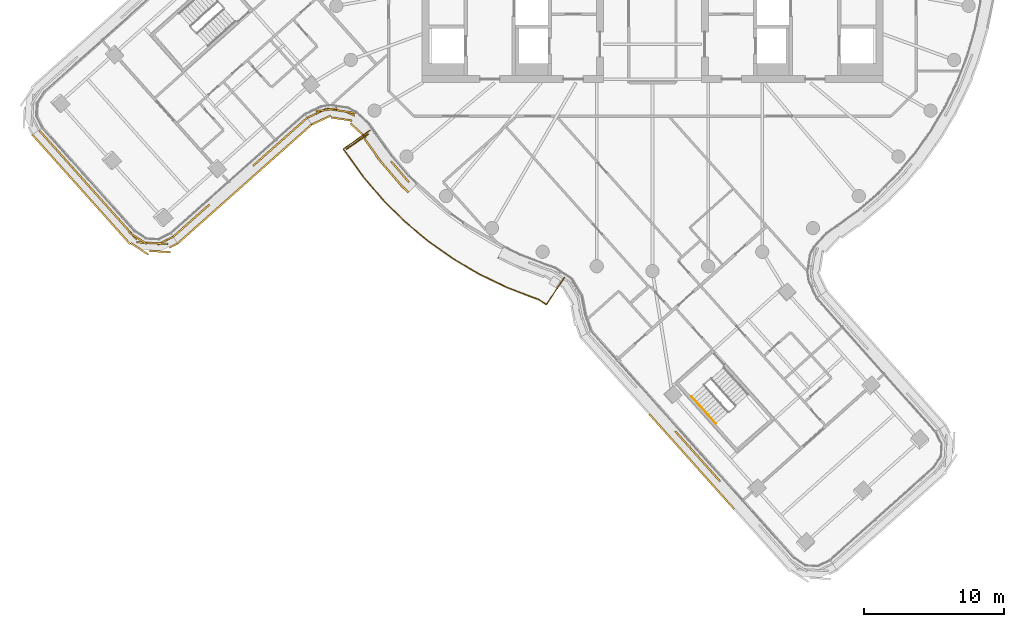
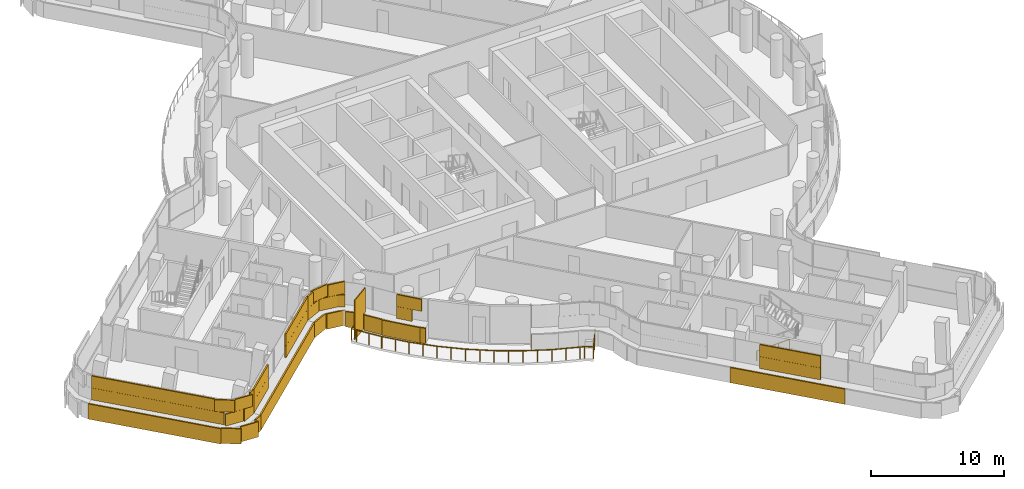
# One storey, part 26 of 33: 4 coverings, 2 railings, 1 shading device.
"""IFC4 building model written with IfcOpenShell, lengths in metres."""

from ifc_helpers import new_model, si_unit, direction, frame, origin, origin_2d, place, context, subcontext, project, spatial, rectangle, circle, extrude, material, layer, layer_set, type_object, element, save


model = new_model("IFC4")

# Units and contexts
model_context = context("Model", 3, precision=1e-05, world=origin(), true_north=direction((0.0, 1.0)))
body_context = subcontext(model_context, "Body", "Model", "MODEL_VIEW")
ifc_project = project(units=[si_unit("LENGTHUNIT", "METRE"), si_unit("AREAUNIT", "SQUARE_METRE"), si_unit("VOLUMEUNIT", "CUBIC_METRE"), si_unit("PLANEANGLEUNIT", "RADIAN"), si_unit("MASSUNIT", "GRAM", prefix="KILO")], contexts=[model_context])

# Site, building, storey
site_placement = place(None, origin())
site = spatial("IfcSite", under=ifc_project, at=site_placement, CompositionType="ELEMENT")
building_placement = place(site_placement, origin())
building = spatial("IfcBuilding", under=site, at=building_placement, Name="Tamarind Cross Interchange Tower", CompositionType="ELEMENT")
storey_placement = place(building_placement, frame((0.0, 0.0, 186.10009765625)))
storey = spatial("IfcBuildingStorey", under=building, at=storey_placement, Name="L46", CompositionType="ELEMENT", Elevation=186.10009765625)

# Railing
ifc_material_1 = material(Name="Stainless steel and laminated glass", Category="steel")
railing_type_1 = type_object("IfcRailingType", Name="Balcony guard", PredefinedType="BALUSTRADE", material=ifc_material_1)
railing_1_placement = place(storey_placement, frame((-20.238037109375, -12.91357421875, 0.0)))
element("IfcRailing", 1, at=railing_1_placement, inside=storey, type_object=railing_type_1, Name="Balcony guard 02", PredefinedType="BALUSTRADE", context=body_context, shape_type="SweptSolid", body=[
    extrude(circle(Radius=0.02490234375, at=origin_2d()), frame((0.0, 0.0, 1.0751953125), z_axis=(-0.821627339517, -0.570025012572, 0.0), x_axis=(0.570025012572, -0.821627339517, 0.0)), (0.0, 0.0, 1.0), 2.320068359375),
    extrude(circle(Radius=0.02490234375, at=origin_2d()), frame((-1.90625, -1.322509765625, 1.0751953125), z_axis=(0.570072754081, -0.821594215568, 0.0), x_axis=(0.821594215568, 0.570072754081, 0.0)), (0.0, 0.0, 1.0), 0.38232421875),
    extrude(circle(Radius=0.02490234375, at=origin_2d()), frame((-1.688232421875, -1.63671875, 1.0751953125), z_axis=(0.584543586162, -0.811362308637, 0.0), x_axis=(0.811362308637, 0.584543586162, 0.0)), (0.0, 0.0, 1.0), 2.10009765625),
    extrude(circle(Radius=0.02490234375, at=origin_2d()), frame((-0.460693359375, -3.340576171875, 1.0751953125), z_axis=(0.649598066146, -0.760277812684, 0.0), x_axis=(0.760277812684, 0.649598066146, 0.0)), (0.0, 0.0, 1.0), 2.175048828125),
    extrude(circle(Radius=0.02490234375, at=origin_2d()), frame((0.9521484375, -4.994140625, 1.0751953125), z_axis=(0.710130717242, -0.704069857635, 0.0), x_axis=(0.704069857635, 0.710130717242, 0.0)), (0.0, 0.0, 1.0), 2.17529296875),
    extrude(circle(Radius=0.02490234375, at=origin_2d()), frame((2.496826171875, -6.525634765625, 1.0751953125), z_axis=(0.765879503455, -0.642984125922, 0.0), x_axis=(0.642984125922, 0.765879503455, 0.0)), (0.0, 0.0, 1.0), 2.17529296875),
    extrude(circle(Radius=0.02490234375, at=origin_2d()), frame((4.162841796875, -7.92431640625, 1.0751953125), z_axis=(0.81632657602, -0.577590617379, 0.0), x_axis=(0.577590617379, 0.81632657602, 0.0)), (0.0, 0.0, 1.0), 2.175048828125),
    extrude(circle(Radius=0.02490234375, at=origin_2d()), frame((5.9384765625, -9.1806640625, 1.0751953125), z_axis=(0.861223570169, -0.508226290333, 0.0), x_axis=(0.508226290333, 0.861223570169, 0.0)), (0.0, 0.0, 1.0), 2.175048828125),
    extrude(circle(Radius=0.02490234375, at=origin_2d()), frame((7.811767578125, -10.2861328125, 1.0751953125), z_axis=(0.90029690694, -0.435276325285, 0.0), x_axis=(0.435276325285, 0.90029690694, 0.0)), (0.0, 0.0, 1.0), 2.175048828125),
    extrude(circle(Radius=0.02490234375, at=origin_2d()), frame((9.77001953125, -11.23291015625, 1.0751953125), z_axis=(0.933120190058, -0.359564612977, 0.0), x_axis=(0.359564612977, 0.933120190058, 0.0)), (0.0, 0.0, 1.0), 2.123291015625),
    extrude(circle(Radius=0.02490234375, at=origin_2d()), frame((11.751220703125, -11.996337890625, 1.0751953125), z_axis=(0.946158549624, -0.323703566514, 0.0), x_axis=(0.323703566514, 0.946158549624, 0.0)), (0.0, 0.0, 1.0), 0.362060546875),
    extrude(circle(Radius=0.02490234375, at=origin_2d()), frame((12.09375, -12.113525390625, 1.0751953125), z_axis=(0.836241621045, -0.548361150367, 0.0), x_axis=(0.548361150367, 0.836241621045, 0.0)), (0.0, 0.0, 1.0), 0.668212890625),
    extrude(circle(Radius=0.02490234375, at=origin_2d()), frame((12.652587890625, -12.47998046875, 1.0751953125), z_axis=(0.548224261774, 0.836331369017, 0.0), x_axis=(-0.836331369017, 0.548224261774, 0.0)), (0.0, 0.0, 1.0), 2.320068359375),
    extrude(circle(Radius=0.02001953125, at=origin_2d()), origin(), (0.0, 0.0, 1.0), 1.050048828125),
    extrude(circle(Radius=0.02001953125, at=origin_2d()), frame((-0.953125, -0.6611328125, 0.0)), (0.0, 0.0, 1.0), 1.050048828125),
    extrude(circle(Radius=0.02001953125, at=origin_2d()), frame((-1.90625, -1.322509765625, 0.0)), (0.0, 0.0, 1.0), 1.050048828125),
    extrude(circle(Radius=0.02001953125, at=origin_2d()), frame((-1.688232421875, -1.63671875, 0.0)), (0.0, 0.0, 1.0), 1.050048828125),
    extrude(circle(Radius=0.02001953125, at=origin_2d()), frame((-1.074462890625, -2.48876953125, 0.0)), (0.0, 0.0, 1.0), 1.050048828125),
    extrude(circle(Radius=0.02001953125, at=origin_2d()), frame((-0.460693359375, -3.340576171875, 0.0)), (0.0, 0.0, 1.0), 1.050048828125),
    extrude(circle(Radius=0.02001953125, at=origin_2d()), frame((0.24560546875, -4.16748046875, 0.0)), (0.0, 0.0, 1.0), 1.050048828125),
    extrude(circle(Radius=0.02001953125, at=origin_2d()), frame((0.9521484375, -4.994140625, 0.0)), (0.0, 0.0, 1.0), 1.050048828125),
    extrude(circle(Radius=0.02001953125, at=origin_2d()), frame((1.724609375, -5.759765625, 0.0)), (0.0, 0.0, 1.0), 1.050048828125),
    extrude(circle(Radius=0.02001953125, at=origin_2d()), frame((2.496826171875, -6.525634765625, 0.0)), (0.0, 0.0, 1.0), 1.050048828125),
    extrude(circle(Radius=0.02001953125, at=origin_2d()), frame((3.329833984375, -7.22509765625, 0.0)), (0.0, 0.0, 1.0), 1.050048828125),
    extrude(circle(Radius=0.02001953125, at=origin_2d()), frame((4.162841796875, -7.92431640625, 0.0)), (0.0, 0.0, 1.0), 1.050048828125),
    extrude(circle(Radius=0.02001953125, at=origin_2d()), frame((5.05078125, -8.552490234375, 0.0)), (0.0, 0.0, 1.0), 1.050048828125),
    extrude(circle(Radius=0.02001953125, at=origin_2d()), frame((5.9384765625, -9.1806640625, 0.0)), (0.0, 0.0, 1.0), 1.050048828125),
    extrude(circle(Radius=0.02001953125, at=origin_2d()), frame((6.875, -9.7333984375, 0.0)), (0.0, 0.0, 1.0), 1.050048828125),
    extrude(circle(Radius=0.02001953125, at=origin_2d()), frame((7.811767578125, -10.2861328125, 0.0)), (0.0, 0.0, 1.0), 1.050048828125),
    extrude(circle(Radius=0.02001953125, at=origin_2d()), frame((8.791015625, -10.759521484375, 0.0)), (0.0, 0.0, 1.0), 1.050048828125),
    extrude(circle(Radius=0.02001953125, at=origin_2d()), frame((9.77001953125, -11.23291015625, 0.0)), (0.0, 0.0, 1.0), 1.050048828125),
    extrude(circle(Radius=0.02001953125, at=origin_2d()), frame((10.7607421875, -11.61474609375, 0.0)), (0.0, 0.0, 1.0), 1.050048828125),
    extrude(circle(Radius=0.02001953125, at=origin_2d()), frame((11.751220703125, -11.996337890625, 0.0)), (0.0, 0.0, 1.0), 1.050048828125),
    extrude(circle(Radius=0.02001953125, at=origin_2d()), frame((12.09375, -12.113525390625, 0.0)), (0.0, 0.0, 1.0), 1.050048828125),
    extrude(circle(Radius=0.02001953125, at=origin_2d()), frame((12.652587890625, -12.47998046875, 0.0)), (0.0, 0.0, 1.0), 1.050048828125),
    extrude(circle(Radius=0.02001953125, at=origin_2d()), frame((13.28857421875, -11.509765625, 0.0)), (0.0, 0.0, 1.0), 1.050048828125),
    extrude(circle(Radius=0.02001953125, at=origin_2d()), frame((13.924560546875, -10.53955078125, 0.0)), (0.0, 0.0, 1.0), 1.050048828125),
])

# Shading device
ifc_material_2 = material(Name="Bronze-finish aluminium louvre", Category="aluminium")
ifc_layer_1 = layer(ifc_material_2, 0.080078125)
ifc_layer_set_1 = layer_set([ifc_layer_1], Name="Bronze-finish aluminium louvre")
shading_device_type = type_object("IfcShadingDeviceType", Name="Operable louvre bay", PredefinedType="JALOUSIE", material=ifc_layer_set_1)
shading_device_placement = place(storey_placement, origin())
element("IfcShadingDevice", 2, at=shading_device_placement, inside=storey, type_object=shading_device_type, Name="LVR-L46-BAL02", PredefinedType="JALOUSIE", context=body_context, shape_type="SweptSolid", body=[
    extrude(rectangle(XDim=1.89990234375, YDim=0.080078125, at=origin_2d()), frame((-21.144287109375, -13.712646484375, -0.000244140625), z_axis=(0.0, 0.0, 1.0), x_axis=(-0.821647242152, -0.56999632408, 0.0)), (0.0, 0.0, 1.0), 3.60009765625),
])

# Railing
ifc_material_3 = material(Name="Stair handrail")
railing_type_2 = type_object("IfcRailingType", Name="Stair handrail", PredefinedType="HANDRAIL", material=ifc_material_3)
railing_2_placement = place(storey_placement, frame((2.805419921875, -31.966064453125, 0.16357421875)))
element("IfcRailing", 3, at=railing_2_placement, inside=storey, type_object=railing_type_2, Name="L46 ST6 stair handrail 1", PredefinedType="HANDRAIL", context=body_context, shape_type="SweptSolid", body=[
    extrude(circle(Radius=0.02392578125, at=origin_2d()), frame((0.0, 0.0, 0.8759765625), z_axis=(0.564022200762, -0.63101821531, 0.532630236651), x_axis=(0.745577674844, 0.666418735311, 0.0)), (0.0, 0.0, 1.0), 3.072021484375),
    extrude(circle(Radius=0.02099609375, at=origin_2d()), origin(), (0.0, 0.0, 1.0), 0.851806640625),
    extrude(circle(Radius=0.02099609375, at=origin_2d()), frame((0.57763671875, -0.646240234375, 0.54541015625)), (0.0, 0.0, 1.0), 0.851806640625),
    extrude(circle(Radius=0.02099609375, at=origin_2d()), frame((1.155029296875, -1.292236328125, 1.0908203125)), (0.0, 0.0, 1.0), 0.851806640625),
    extrude(circle(Radius=0.02099609375, at=origin_2d()), frame((1.732666015625, -1.9384765625, 1.63623046875)), (0.0, 0.0, 1.0), 0.851806640625),
])

# Coverings
ifc_material_4 = material(Name="Terracotta", Category="masonry")
ifc_layer_2 = layer(ifc_material_4, 0.1201171875)
ifc_layer_set_2 = layer_set([ifc_layer_2], Name="Terracotta")
covering_type = type_object("IfcCoveringType", Name="Terracotta baguette screen unit", PredefinedType="MOLDING", material=ifc_layer_set_2)
covering_1_placement = place(storey_placement, origin())
element("IfcCovering", 4, at=covering_1_placement, inside=storey, type_object=covering_type, Name="SCR-L46-00-00", PredefinedType="MOLDING", context=body_context, shape_type="SweptSolid", body=[
    extrude(rectangle(XDim=1.510009765625, YDim=0.1201171875, at=origin_2d()), frame((-43.45166015625, -13.45849609375, 1.40380859375), z_axis=(0.0, 0.0, 1.0), x_axis=(0.666428375667, -0.745569057905, 0.0)), (0.0, 0.0, 1.0), 1.092041015625),
    extrude(rectangle(XDim=1.52001953125, YDim=0.1201171875, at=origin_2d()), frame((-42.4521484375, -14.576904296875, 1.40380859375), z_axis=(0.0, 0.0, 1.0), x_axis=(0.666428375667, -0.745569057905, 0.0)), (0.0, 0.0, 1.0), 1.092041015625),
    extrude(rectangle(XDim=1.52001953125, YDim=0.1201171875, at=origin_2d()), frame((-41.452392578125, -15.695068359375, 1.40380859375), z_axis=(0.0, 0.0, 1.0), x_axis=(0.666428375667, -0.745569057905, 0.0)), (0.0, 0.0, 1.0), 1.092041015625),
    extrude(rectangle(XDim=1.52001953125, YDim=0.1201171875, at=origin_2d()), frame((-40.452880859375, -16.8134765625, 1.40380859375), z_axis=(0.0, 0.0, 1.0), x_axis=(0.666428375667, -0.745569057905, 0.0)), (0.0, 0.0, 1.0), 1.092041015625),
    extrude(rectangle(XDim=1.52001953125, YDim=0.1201171875, at=origin_2d()), frame((-39.453125, -17.931884765625, 1.40380859375), z_axis=(0.0, 0.0, 1.0), x_axis=(0.666428375667, -0.745569057905, 0.0)), (0.0, 0.0, 1.0), 1.092041015625),
    extrude(rectangle(XDim=1.52001953125, YDim=0.1201171875, at=origin_2d()), frame((-38.45361328125, -19.05029296875, 1.40380859375), z_axis=(0.0, 0.0, 1.0), x_axis=(0.666428375667, -0.745569057905, 0.0)), (0.0, 0.0, 1.0), 1.092041015625),
    extrude(rectangle(XDim=1.52001953125, YDim=0.1201171875, at=origin_2d()), frame((-37.453857421875, -20.168701171875, 1.40380859375), z_axis=(0.0, 0.0, 1.0), x_axis=(0.666428375667, -0.745569057905, 0.0)), (0.0, 0.0, 1.0), 1.092041015625),
    extrude(rectangle(XDim=1.52001953125, YDim=0.1201171875, at=origin_2d()), frame((-36.220458984375, -20.968017578125, 1.40380859375), z_axis=(0.0, 0.0, 1.0), x_axis=(0.998432960297, -0.055960913078, 0.0)), (0.0, 0.0, 1.0), 1.092041015625),
    extrude(rectangle(XDim=1.259521484375, YDim=0.1201171875, at=origin_2d()), frame((-34.89501953125, -20.81884765625, 1.40380859375), z_axis=(0.0, 0.0, 1.0), x_axis=(0.892648764132, 0.450752907804, 0.0)), (0.0, 0.0, 1.0), 1.092041015625),
    extrude(rectangle(XDim=0.760009765625, YDim=0.1201171875, at=origin_2d()), frame((-43.70166015625, -13.178955078125, 2.50390625), z_axis=(0.0, 0.0, 1.0), x_axis=(0.666428375667, -0.745569057905, 0.0)), (0.0, 0.0, 1.0), 1.092041015625),
    extrude(rectangle(XDim=1.52001953125, YDim=0.1201171875, at=origin_2d()), frame((-42.951904296875, -14.017578125, 2.50390625), z_axis=(0.0, 0.0, 1.0), x_axis=(0.666428375667, -0.745569057905, 0.0)), (0.0, 0.0, 1.0), 1.092041015625),
    extrude(rectangle(XDim=1.52001953125, YDim=0.1201171875, at=origin_2d()), frame((-41.952392578125, -15.135986328125, 2.50390625), z_axis=(0.0, 0.0, 1.0), x_axis=(0.666428375667, -0.745569057905, 0.0)), (0.0, 0.0, 1.0), 1.092041015625),
    extrude(rectangle(XDim=1.52001953125, YDim=0.1201171875, at=origin_2d()), frame((-40.95263671875, -16.25439453125, 2.50390625), z_axis=(0.0, 0.0, 1.0), x_axis=(0.666428375667, -0.745569057905, 0.0)), (0.0, 0.0, 1.0), 1.092041015625),
    extrude(rectangle(XDim=1.52001953125, YDim=0.1201171875, at=origin_2d()), frame((-39.953125, -17.372802734375, 2.50390625), z_axis=(0.0, 0.0, 1.0), x_axis=(0.666428375667, -0.745569057905, 0.0)), (0.0, 0.0, 1.0), 1.092041015625),
    extrude(rectangle(XDim=1.52001953125, YDim=0.1201171875, at=origin_2d()), frame((-38.953369140625, -18.490966796875, 2.50390625), z_axis=(0.0, 0.0, 1.0), x_axis=(0.666428375667, -0.745569057905, 0.0)), (0.0, 0.0, 1.0), 1.092041015625),
    extrude(rectangle(XDim=1.52001953125, YDim=0.1201171875, at=origin_2d()), frame((-37.95361328125, -19.609375, 2.50390625), z_axis=(0.0, 0.0, 1.0), x_axis=(0.666428375667, -0.745569057905, 0.0)), (0.0, 0.0, 1.0), 1.092041015625),
    extrude(rectangle(XDim=1.52001953125, YDim=0.1201171875, at=origin_2d()), frame((-36.873046875, -20.633544921875, 2.50390625), z_axis=(0.0, 0.0, 1.0), x_axis=(0.836687851054, -0.547680052493, 0.0)), (0.0, 0.0, 1.0), 1.092041015625),
    extrude(rectangle(XDim=1.52001953125, YDim=0.1201171875, at=origin_2d()), frame((-35.4716796875, -21.010009765625, 2.50390625), z_axis=(0.0, 0.0, 1.0), x_axis=(0.998432960297, -0.055960913078, 0.0)), (0.0, 0.0, 1.0), 1.092041015625),
    extrude(rectangle(XDim=0.509521484375, YDim=0.1201171875, at=origin_2d()), frame((-34.560302734375, -20.649658203125, 2.50390625), z_axis=(0.0, 0.0, 1.0), x_axis=(0.892648764132, 0.450752907804, 0.0)), (0.0, 0.0, 1.0), 1.092041015625),
    extrude(rectangle(XDim=1.510009765625, YDim=0.1201171875, at=origin_2d()), frame((-43.9267578125, -13.788330078125, 0.00390625), z_axis=(0.0, 0.0, 1.0), x_axis=(0.666428375667, -0.745569057905, 0.0)), (0.0, 0.0, 1.0), 1.39208984375),
    extrude(rectangle(XDim=1.52001953125, YDim=0.1201171875, at=origin_2d()), frame((-42.930419921875, -14.903076171875, 0.00390625), z_axis=(0.0, 0.0, 1.0), x_axis=(0.666428375667, -0.745569057905, 0.0)), (0.0, 0.0, 1.0), 1.39208984375),
    extrude(rectangle(XDim=1.52001953125, YDim=0.1201171875, at=origin_2d()), frame((-41.930908203125, -16.021484375, 0.00390625), z_axis=(0.0, 0.0, 1.0), x_axis=(0.666428375667, -0.745569057905, 0.0)), (0.0, 0.0, 1.0), 1.39208984375),
    extrude(rectangle(XDim=1.52001953125, YDim=0.1201171875, at=origin_2d()), frame((-40.93115234375, -17.1396484375, 0.00390625), z_axis=(0.0, 0.0, 1.0), x_axis=(0.666428375667, -0.745569057905, 0.0)), (0.0, 0.0, 1.0), 1.39208984375),
    extrude(rectangle(XDim=1.52001953125, YDim=0.1201171875, at=origin_2d()), frame((-39.931396484375, -18.258056640625, 0.00390625), z_axis=(0.0, 0.0, 1.0), x_axis=(0.666428375667, -0.745569057905, 0.0)), (0.0, 0.0, 1.0), 1.39208984375),
    extrude(rectangle(XDim=1.52001953125, YDim=0.1201171875, at=origin_2d()), frame((-38.931884765625, -19.37646484375, 0.00390625), z_axis=(0.0, 0.0, 1.0), x_axis=(0.666428375667, -0.745569057905, 0.0)), (0.0, 0.0, 1.0), 1.39208984375),
    extrude(rectangle(XDim=1.52001953125, YDim=0.1201171875, at=origin_2d()), frame((-37.93212890625, -20.494873046875, 0.00390625), z_axis=(0.0, 0.0, 1.0), x_axis=(0.666428375667, -0.745569057905, 0.0)), (0.0, 0.0, 1.0), 1.39208984375),
    extrude(rectangle(XDim=1.52001953125, YDim=0.1201171875, at=origin_2d()), frame((-36.74951171875, -21.400390625, 0.00390625), z_axis=(0.0, 0.0, 1.0), x_axis=(0.836687851054, -0.547680052493, 0.0)), (0.0, 0.0, 1.0), 1.39208984375),
    extrude(rectangle(XDim=1.52001953125, YDim=0.1201171875, at=origin_2d()), frame((-35.288330078125, -21.59521484375, 0.00390625), z_axis=(0.0, 0.0, 1.0), x_axis=(0.998432960297, -0.055960913078, 0.0)), (0.0, 0.0, 1.0), 1.39208984375),
    extrude(rectangle(XDim=0.676025390625, YDim=0.1201171875, at=origin_2d()), frame((-34.313720703125, -21.168212890625, 0.00390625), z_axis=(0.0, 0.0, 1.0), x_axis=(0.892648764132, 0.450752907804, 0.0)), (0.0, 0.0, 1.0), 1.39208984375),
])
covering_2_placement = place(storey_placement, origin())
element("IfcCovering", 5, at=covering_2_placement, inside=storey, type_object=covering_type, Name="SCR-L46-01-00", PredefinedType="MOLDING", context=body_context, shape_type="SweptSolid", body=[
    extrude(rectangle(XDim=1.510009765625, YDim=0.1201171875, at=origin_2d()), frame((-33.7763671875, -20.039306640625, 1.40380859375), z_axis=(0.0, 0.0, 1.0), x_axis=(0.747777335464, 0.663949588874, 0.0)), (0.0, 0.0, 1.0), 1.092041015625),
    extrude(rectangle(XDim=1.52001953125, YDim=0.1201171875, at=origin_2d()), frame((-32.65478515625, -19.043212890625, 1.40380859375), z_axis=(0.0, 0.0, 1.0), x_axis=(0.747777335464, 0.663949588874, 0.0)), (0.0, 0.0, 1.0), 1.092041015625),
    extrude(rectangle(XDim=0.482177734375, YDim=0.1201171875, at=origin_2d()), frame((-31.91748046875, -18.388671875, 1.40380859375), z_axis=(0.0, 0.0, 1.0), x_axis=(0.747777335464, 0.663949588874, 0.0)), (0.0, 0.0, 1.0), 1.092041015625),
    extrude(rectangle(XDim=1.337646484375, YDim=0.1201171875, at=origin_2d()), frame((-28.103759765625, -15.00244140625, 1.40380859375), z_axis=(0.0, 0.0, 1.0), x_axis=(0.747777335464, 0.663949588874, 0.0)), (0.0, 0.0, 1.0), 1.092041015625),
    extrude(rectangle(XDim=1.52001953125, YDim=0.1201171875, at=origin_2d()), frame((-27.04638671875, -14.063720703125, 1.40380859375), z_axis=(0.0, 0.0, 1.0), x_axis=(0.747777335464, 0.663949588874, 0.0)), (0.0, 0.0, 1.0), 1.092041015625),
    extrude(rectangle(XDim=1.52001953125, YDim=0.1201171875, at=origin_2d()), frame((-25.9248046875, -13.06787109375, 1.40380859375), z_axis=(0.0, 0.0, 1.0), x_axis=(0.747777335464, 0.663949588874, 0.0)), (0.0, 0.0, 1.0), 1.092041015625),
    extrude(rectangle(XDim=0.846435546875, YDim=0.1201171875, at=origin_2d()), frame((-25.05126953125, -12.2919921875, 1.40380859375), z_axis=(0.0, 0.0, 1.0), x_axis=(0.747777335464, 0.663949588874, 0.0)), (0.0, 0.0, 1.0), 1.092041015625),
    extrude(rectangle(XDim=0.760009765625, YDim=0.1201171875, at=origin_2d()), frame((-34.056884765625, -20.2880859375, 2.50390625), z_axis=(0.0, 0.0, 1.0), x_axis=(0.747777335464, 0.663949588874, 0.0)), (0.0, 0.0, 1.0), 1.092041015625),
    extrude(rectangle(XDim=1.52001953125, YDim=0.1201171875, at=origin_2d()), frame((-33.215576171875, -19.541259765625, 2.50390625), z_axis=(0.0, 0.0, 1.0), x_axis=(0.747777335464, 0.663949588874, 0.0)), (0.0, 0.0, 1.0), 1.092041015625),
    extrude(rectangle(XDim=1.232177734375, YDim=0.1201171875, at=origin_2d()), frame((-32.19775390625, -18.637451171875, 2.50390625), z_axis=(0.0, 0.0, 1.0), x_axis=(0.747777335464, 0.663949588874, 0.0)), (0.0, 0.0, 1.0), 1.092041015625),
    extrude(rectangle(XDim=0.587646484375, YDim=0.1201171875, at=origin_2d()), frame((-28.384033203125, -15.25146484375, 2.50390625), z_axis=(0.0, 0.0, 1.0), x_axis=(0.747777335464, 0.663949588874, 0.0)), (0.0, 0.0, 1.0), 1.092041015625),
    extrude(rectangle(XDim=1.52001953125, YDim=0.1201171875, at=origin_2d()), frame((-27.607421875, -14.5615234375, 2.50390625), z_axis=(0.0, 0.0, 1.0), x_axis=(0.747777335464, 0.663949588874, 0.0)), (0.0, 0.0, 1.0), 1.092041015625),
    extrude(rectangle(XDim=1.52001953125, YDim=0.1201171875, at=origin_2d()), frame((-26.485595703125, -13.565673828125, 2.50390625), z_axis=(0.0, 0.0, 1.0), x_axis=(0.747777335464, 0.663949588874, 0.0)), (0.0, 0.0, 1.0), 1.092041015625),
    extrude(rectangle(XDim=1.52001953125, YDim=0.1201171875, at=origin_2d()), frame((-25.364013671875, -12.56982421875, 2.50390625), z_axis=(0.0, 0.0, 1.0), x_axis=(0.747777335464, 0.663949588874, 0.0)), (0.0, 0.0, 1.0), 1.092041015625),
    extrude(rectangle(XDim=0.096435546875, YDim=0.1201171875, at=origin_2d()), frame((-24.770751953125, -12.043212890625, 2.50390625), z_axis=(0.0, 0.0, 1.0), x_axis=(0.747777335464, 0.663949588874, 0.0)), (0.0, 0.0, 1.0), 1.092041015625),
    extrude(rectangle(XDim=1.510009765625, YDim=0.1201171875, at=origin_2d()), frame((-33.447509765625, -20.5146484375, 0.00390625), z_axis=(0.0, 0.0, 1.0), x_axis=(0.747777335464, 0.663949588874, 0.0)), (0.0, 0.0, 1.0), 1.39208984375),
    extrude(rectangle(XDim=1.52001953125, YDim=0.1201171875, at=origin_2d()), frame((-32.32958984375, -19.52197265625, 0.00390625), z_axis=(0.0, 0.0, 1.0), x_axis=(0.747777335464, 0.663949588874, 0.0)), (0.0, 0.0, 1.0), 1.39208984375),
    extrude(rectangle(XDim=1.52001953125, YDim=0.1201171875, at=origin_2d()), frame((-31.207763671875, -18.526123046875, 0.00390625), z_axis=(0.0, 0.0, 1.0), x_axis=(0.747777335464, 0.663949588874, 0.0)), (0.0, 0.0, 1.0), 1.39208984375),
    extrude(rectangle(XDim=1.52001953125, YDim=0.1201171875, at=origin_2d()), frame((-30.086181640625, -17.5302734375, 0.00390625), z_axis=(0.0, 0.0, 1.0), x_axis=(0.747777335464, 0.663949588874, 0.0)), (0.0, 0.0, 1.0), 1.39208984375),
    extrude(rectangle(XDim=1.52001953125, YDim=0.1201171875, at=origin_2d()), frame((-28.964599609375, -16.5341796875, 0.00390625), z_axis=(0.0, 0.0, 1.0), x_axis=(0.747777335464, 0.663949588874, 0.0)), (0.0, 0.0, 1.0), 1.39208984375),
    extrude(rectangle(XDim=1.52001953125, YDim=0.1201171875, at=origin_2d()), frame((-27.8427734375, -15.538330078125, 0.00390625), z_axis=(0.0, 0.0, 1.0), x_axis=(0.747777335464, 0.663949588874, 0.0)), (0.0, 0.0, 1.0), 1.39208984375),
    extrude(rectangle(XDim=1.52001953125, YDim=0.1201171875, at=origin_2d()), frame((-26.72119140625, -14.54248046875, 0.00390625), z_axis=(0.0, 0.0, 1.0), x_axis=(0.747777335464, 0.663949588874, 0.0)), (0.0, 0.0, 1.0), 1.39208984375),
    extrude(rectangle(XDim=1.52001953125, YDim=0.1201171875, at=origin_2d()), frame((-25.599365234375, -13.54638671875, 0.00390625), z_axis=(0.0, 0.0, 1.0), x_axis=(0.747777335464, 0.663949588874, 0.0)), (0.0, 0.0, 1.0), 1.39208984375),
    extrude(rectangle(XDim=0.837158203125, YDim=0.1201171875, at=origin_2d()), frame((-24.733154296875, -12.77734375, 0.00390625), z_axis=(0.0, 0.0, 1.0), x_axis=(0.747777335464, 0.663949588874, 0.0)), (0.0, 0.0, 1.0), 1.39208984375),
])
covering_3_placement = place(storey_placement, origin())
element("IfcCovering", 6, at=covering_3_placement, inside=storey, type_object=covering_type, Name="SCR-L46-02-00", PredefinedType="MOLDING", context=body_context, shape_type="SweptSolid", body=[
    extrude(rectangle(XDim=1.510009765625, YDim=0.1201171875, at=origin_2d()), frame((-24.05859375, -11.697998046875, 1.40380859375), z_axis=(0.0, 0.0, 1.0), x_axis=(0.906615530047, 0.421957676406, 0.0)), (0.0, 0.0, 1.0), 1.092041015625),
    extrude(rectangle(XDim=1.52001953125, YDim=0.1201171875, at=origin_2d()), frame((-22.617431640625, -11.469970703125, 1.40380859375), z_axis=(0.0, 0.0, 1.0), x_axis=(0.988469419159, -0.151420630653, 0.0)), (0.0, 0.0, 1.0), 1.092041015625),
    extrude(rectangle(XDim=0.601318359375, YDim=0.1201171875, at=origin_2d()), frame((-21.61572265625, -11.7314453125, 1.40380859375), z_axis=(0.0, 0.0, 1.0), x_axis=(0.902261803213, -0.431188634432, 0.0)), (0.0, 0.0, 1.0), 1.092041015625),
    extrude(rectangle(XDim=1.21875, YDim=0.1201171875, at=origin_2d()), frame((-18.33349609375, -15.58935546875, 1.40380859375), z_axis=(0.0, 0.0, 1.0), x_axis=(0.64957723968, -0.760295606781, 0.0)), (0.0, 0.0, 1.0), 1.092041015625),
    extrude(rectangle(XDim=0.760009765625, YDim=0.1201171875, at=origin_2d()), frame((-24.3984375, -11.856201171875, 2.50390625), z_axis=(0.0, 0.0, 1.0), x_axis=(0.906615530047, 0.421957676406, 0.0)), (0.0, 0.0, 1.0), 1.092041015625),
    extrude(rectangle(XDim=1.52001953125, YDim=0.1201171875, at=origin_2d()), frame((-23.359130859375, -11.446533203125, 2.50390625), z_axis=(0.0, 0.0, 1.0), x_axis=(0.989963338679, 0.141324407206, 0.0)), (0.0, 0.0, 1.0), 1.092041015625),
    extrude(rectangle(XDim=1.351318359375, YDim=0.1201171875, at=origin_2d()), frame((-21.95458984375, -11.571533203125, 2.50390625), z_axis=(0.0, 0.0, 1.0), x_axis=(0.988469419159, -0.151420630653, 0.0)), (0.0, 0.0, 1.0), 1.092041015625),
    extrude(rectangle(XDim=0.46875, YDim=0.1201171875, at=origin_2d()), frame((-18.5771484375, -15.30419921875, 2.50390625), z_axis=(0.0, 0.0, 1.0), x_axis=(0.64957723968, -0.760295606781, 0.0)), (0.0, 0.0, 1.0), 1.092041015625),
    extrude(rectangle(XDim=1.52001953125, YDim=0.1201171875, at=origin_2d()), frame((-17.94091796875, -16.048828125, 2.50390625), z_axis=(0.0, 0.0, 1.0), x_axis=(0.64957723968, -0.760295606781, 0.0)), (0.0, 0.0, 1.0), 1.092041015625),
    extrude(rectangle(XDim=1.510009765625, YDim=0.1201171875, at=origin_2d()), frame((-23.735595703125, -12.180908203125, 0.00390625), z_axis=(0.0, 0.0, 1.0), x_axis=(0.906615530047, 0.421957676406, 0.0)), (0.0, 0.0, 1.0), 1.39208984375),
    extrude(rectangle(XDim=1.52001953125, YDim=0.1201171875, at=origin_2d()), frame((-22.285400390625, -12.1015625, 0.00390625), z_axis=(0.0, 0.0, 1.0), x_axis=(0.988469419159, -0.151420630653, 0.0)), (0.0, 0.0, 1.0), 1.39208984375),
    extrude(rectangle(XDim=1.52001953125, YDim=0.1201171875, at=origin_2d()), frame((-21.074951171875, -12.934814453125, 0.00390625), z_axis=(0.0, 0.0, 1.0), x_axis=(0.738728646371, -0.674002957732, 0.0)), (0.0, 0.0, 1.0), 1.39208984375),
    extrude(rectangle(XDim=1.52001953125, YDim=0.1201171875, at=origin_2d()), frame((-20.18310546875, -14.13671875, 0.00390625), z_axis=(0.0, 0.0, 1.0), x_axis=(0.584573890505, -0.811340475102, 0.0)), (0.0, 0.0, 1.0), 1.39208984375),
    extrude(rectangle(XDim=1.52001953125, YDim=0.1201171875, at=origin_2d()), frame((-19.29638671875, -15.345947265625, 0.00390625), z_axis=(0.0, 0.0, 1.0), x_axis=(0.64957723968, -0.760295606781, 0.0)), (0.0, 0.0, 1.0), 1.39208984375),
    extrude(rectangle(XDim=1.52001953125, YDim=0.1201171875, at=origin_2d()), frame((-18.322021484375, -16.486572265625, 0.00390625), z_axis=(0.0, 0.0, 1.0), x_axis=(0.64957723968, -0.760295606781, 0.0)), (0.0, 0.0, 1.0), 1.39208984375),
    extrude(rectangle(XDim=0.4580078125, YDim=0.1201171875, at=origin_2d()), frame((-17.657470703125, -17.1904296875, 0.00390625), z_axis=(0.0, 0.0, 1.0), x_axis=(0.710143317658, -0.704057148523, 0.0)), (0.0, 0.0, 1.0), 1.39208984375),
    extrude(rectangle(XDim=0.03076171875, YDim=0.1201171875, at=origin_2d()), frame((-11.052734375, -22.0244140625, 0.00390625), z_axis=(0.0, 0.0, 1.0), x_axis=(0.900272776334, -0.435326231914, 0.0)), (0.0, 0.0, 1.0), 1.39208984375),
])
covering_4_placement = place(storey_placement, origin())
element("IfcCovering", 7, at=covering_4_placement, inside=storey, type_object=covering_type, Name="SCR-L46-03-01", PredefinedType="MOLDING", context=body_context, shape_type="SweptSolid", body=[
    extrude(rectangle(XDim=1.072998046875, YDim=0.1201171875, at=origin_2d()), frame((1.99365234375, -34.869140625, 1.40380859375), z_axis=(0.0, 0.0, 1.0), x_axis=(0.666428375667, -0.745569057905, 0.0)), (0.0, 0.0, 1.0), 1.092041015625),
    extrude(rectangle(XDim=1.52001953125, YDim=0.1201171875, at=origin_2d()), frame((2.84765625, -35.82470703125, 1.40380859375), z_axis=(0.0, 0.0, 1.0), x_axis=(0.666428375667, -0.745569057905, 0.0)), (0.0, 0.0, 1.0), 1.092041015625),
    extrude(rectangle(XDim=1.52001953125, YDim=0.1201171875, at=origin_2d()), frame((3.847412109375, -36.943115234375, 1.40380859375), z_axis=(0.0, 0.0, 1.0), x_axis=(0.666428375667, -0.745569057905, 0.0)), (0.0, 0.0, 1.0), 1.092041015625),
    extrude(rectangle(XDim=0.75927734375, YDim=0.1201171875, at=origin_2d()), frame((4.596923828125, -37.781494140625, 1.40380859375), z_axis=(0.0, 0.0, 1.0), x_axis=(0.666428375667, -0.745569057905, 0.0)), (0.0, 0.0, 1.0), 1.092041015625),
    extrude(rectangle(XDim=0.322998046875, YDim=0.1201171875, at=origin_2d()), frame((1.743896484375, -34.589599609375, 2.50390625), z_axis=(0.0, 0.0, 1.0), x_axis=(0.666428375667, -0.745569057905, 0.0)), (0.0, 0.0, 1.0), 1.092041015625),
    extrude(rectangle(XDim=1.52001953125, YDim=0.1201171875, at=origin_2d()), frame((2.347900390625, -35.265625, 2.50390625), z_axis=(0.0, 0.0, 1.0), x_axis=(0.666428375667, -0.745569057905, 0.0)), (0.0, 0.0, 1.0), 1.092041015625),
    extrude(rectangle(XDim=1.52001953125, YDim=0.1201171875, at=origin_2d()), frame((3.34765625, -36.3837890625, 2.50390625), z_axis=(0.0, 0.0, 1.0), x_axis=(0.666428375667, -0.745569057905, 0.0)), (0.0, 0.0, 1.0), 1.092041015625),
    extrude(rectangle(XDim=1.50927734375, YDim=0.1201171875, at=origin_2d()), frame((4.346923828125, -37.501953125, 2.50390625), z_axis=(0.0, 0.0, 1.0), x_axis=(0.666428375667, -0.745569057905, 0.0)), (0.0, 0.0, 1.0), 1.092041015625),
    extrude(rectangle(XDim=0.109619140625, YDim=0.1201171875, at=origin_2d()), frame((-0.185302734375, -33.292724609375, 0.00390625), z_axis=(0.0, 0.0, 1.0), x_axis=(0.666428375667, -0.745569057905, 0.0)), (0.0, 0.0, 1.0), 1.39208984375),
    extrude(rectangle(XDim=1.52001953125, YDim=0.1201171875, at=origin_2d()), frame((0.344482421875, -33.885498046875, 0.00390625), z_axis=(0.0, 0.0, 1.0), x_axis=(0.666428375667, -0.745569057905, 0.0)), (0.0, 0.0, 1.0), 1.39208984375),
    extrude(rectangle(XDim=1.52001953125, YDim=0.1201171875, at=origin_2d()), frame((1.343994140625, -35.003662109375, 0.00390625), z_axis=(0.0, 0.0, 1.0), x_axis=(0.666428375667, -0.745569057905, 0.0)), (0.0, 0.0, 1.0), 1.39208984375),
    extrude(rectangle(XDim=1.52001953125, YDim=0.1201171875, at=origin_2d()), frame((2.34375, -36.1220703125, 0.00390625), z_axis=(0.0, 0.0, 1.0), x_axis=(0.666428375667, -0.745569057905, 0.0)), (0.0, 0.0, 1.0), 1.39208984375),
    extrude(rectangle(XDim=1.52001953125, YDim=0.1201171875, at=origin_2d()), frame((3.34326171875, -37.240478515625, 0.00390625), z_axis=(0.0, 0.0, 1.0), x_axis=(0.666428375667, -0.745569057905, 0.0)), (0.0, 0.0, 1.0), 1.39208984375),
    extrude(rectangle(XDim=1.52001953125, YDim=0.1201171875, at=origin_2d()), frame((4.343017578125, -38.35888671875, 0.00390625), z_axis=(0.0, 0.0, 1.0), x_axis=(0.666428375667, -0.745569057905, 0.0)), (0.0, 0.0, 1.0), 1.39208984375),
    extrude(rectangle(XDim=1.500732421875, YDim=0.1201171875, at=origin_2d()), frame((5.336181640625, -39.469970703125, 0.00390625), z_axis=(0.0, 0.0, 1.0), x_axis=(0.666428375667, -0.745569057905, 0.0)), (0.0, 0.0, 1.0), 1.39208984375),
])

save(model, "model.ifc")
